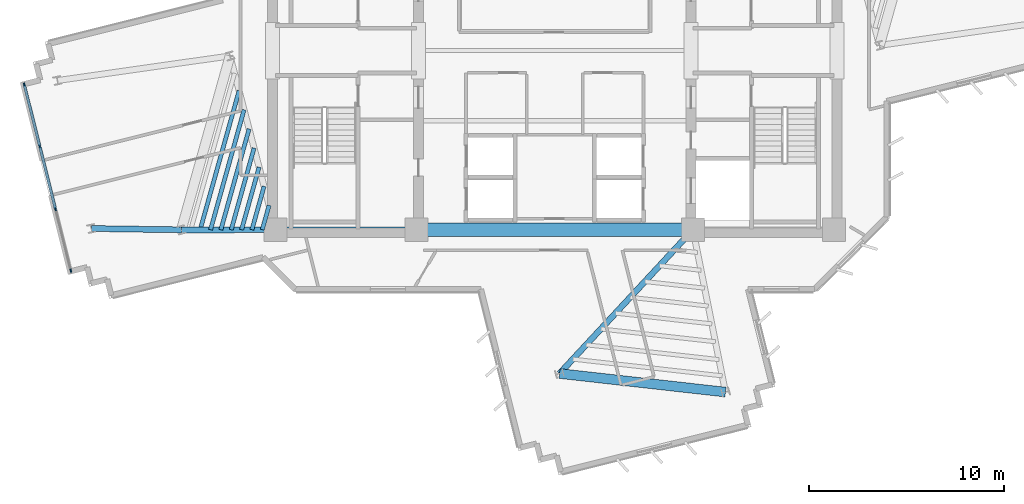
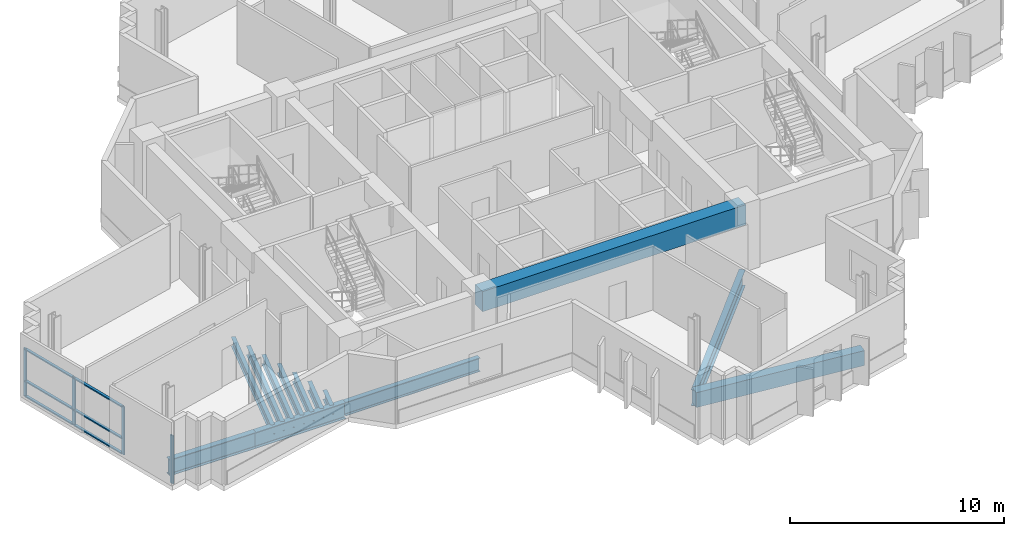
# One storey, part 2 of 13: 13 beams, 10 members, 1 element without a shape of its own.
"""IFC4 building model written with IfcOpenShell, lengths in metres."""

from ifc_helpers import new_model, si_unit, direction, frame, origin, origin_2d, place, context, subcontext, project, spatial, rectangle, i_section, extrude, source, transform, mapped, material, layer, layer_set, material_profile, profile_set, type_object, element, aggregate, save


model = new_model("IFC4")

# Units and contexts
model_context = context("Model", 3, precision=1e-05, world=origin(), true_north=direction((0.0, 1.0)))
body_context = subcontext(model_context, "Body", "Model", "MODEL_VIEW")
ifc_project = project(units=[si_unit("LENGTHUNIT", "METRE"), si_unit("AREAUNIT", "SQUARE_METRE"), si_unit("VOLUMEUNIT", "CUBIC_METRE"), si_unit("PLANEANGLEUNIT", "RADIAN"), si_unit("MASSUNIT", "GRAM", prefix="KILO")], contexts=[model_context])

# Site, building, storey
site_placement = place(None, origin())
site = spatial("IfcSite", under=ifc_project, at=site_placement, CompositionType="ELEMENT")
building_placement = place(site_placement, origin())
building = spatial("IfcBuilding", under=site, at=building_placement, Name="Zahravan Cultural Tower", CompositionType="ELEMENT")
storey_placement = place(building_placement, frame((0.0, 0.0, 182.39990234375)))
storey = spatial("IfcBuildingStorey", under=building, at=storey_placement, Name="L42", CompositionType="ELEMENT", Elevation=182.39990234375)

# Beams
ifc_material_1 = material(Name="Concrete C50/60", Category="concrete")
ifc_material_profile_1 = material_profile(ifc_material_1, rectangle(XDim=0.699951171875, YDim=1.14990234375, at=origin_2d()), Name="RC700X1150")
ifc_profile_set_1 = profile_set([ifc_material_profile_1], Name="Concrete C50/60")
beam_type_1 = type_object("IfcBeamType", Name="BM-LN-RC700X1150", PredefinedType="LINTEL", material=ifc_profile_set_1)
shared_shape_1 = source(origin(), body_context, "Body", "SweptSolid", [
    extrude(rectangle(XDim=0.699951171875, YDim=1.14990234375, at=origin_2d()), origin(), (0.0, 0.0, 1.0), 14.2001953125),
])
beam_1_placement = place(storey_placement, frame((28.89990234375, 17.800048828125, 3.045166015625), z_axis=(1.0, 0.0, 0.0), x_axis=(0.0, 1.0, 0.0)))
element("IfcBeam", 1, at=beam_1_placement, inside=storey, type_object=beam_type_1, Name="L42 Beam LN-L42-S", PredefinedType="LINTEL", context=body_context, shape_type="MappedRepresentation", body=[
    mapped(shared_shape_1, transform((0.0, 0.0, 0.0), x_axis=(1.0, 0.0, 0.0), y_axis=(0.0, 1.0, 0.0), z_axis=(0.0, 0.0, 1.0), scale=1.0)),
])
ifc_material_2 = material(Name="Steel ASTM A992 Grade 50", Category="steel")
ifc_material_profile_2 = material_profile(ifc_material_2, i_section(OverallWidth=0.26611328125, OverallDepth=0.780029296875, WebThickness=0.0166015625, FlangeThickness=0.030029296875, FilletRadius=0.01904296875, at=origin_2d()), Name="W30X148")
ifc_profile_set_2 = profile_set([ifc_material_profile_2], Name="Steel ASTM A992 Grade 50")
beam_type_2 = type_object("IfcBeamType", Name="BM-G-W30X148", PredefinedType="BEAM", material=ifc_profile_set_2)
shared_shape_2 = source(origin(), body_context, "Body", "SweptSolid", [
    extrude(i_section(OverallWidth=0.26611328125, OverallDepth=0.780029296875, WebThickness=0.0166015625, FlangeThickness=0.030029296875, FilletRadius=0.01904296875, at=origin_2d()), origin(), (0.0, 0.0, 1.0), 7.25),
])
beam_2_placement = place(storey_placement, frame((21.64990234375, 17.800048828125, -0.669921875), z_axis=(1.0, 0.0, 0.0), x_axis=(0.0, 1.0, 0.0)))
element("IfcBeam", 2, at=beam_2_placement, inside=storey, type_object=beam_type_2, Name="L42 Beam BG-L42-01", PredefinedType="BEAM", context=body_context, shape_type="MappedRepresentation", body=[
    mapped(shared_shape_2, transform((0.0, 0.0, 0.0), x_axis=(1.0, 0.0, 0.0), y_axis=(0.0, 1.0, 0.0), z_axis=(0.0, 0.0, 1.0), scale=1.0)),
])
ifc_material_profile_3 = material_profile(ifc_material_2, i_section(OverallWidth=0.304931640625, OverallDepth=0.9189453125, WebThickness=0.017333984375, FlangeThickness=0.02783203125, FilletRadius=0.02392578125, at=origin_2d()), Name="W36X170")
ifc_profile_set_3 = profile_set([ifc_material_profile_3], Name="Steel ASTM A992 Grade 50")
beam_type_3 = type_object("IfcBeamType", Name="BM-G-W36X170", PredefinedType="BEAM", material=ifc_profile_set_3)
shared_shape_3 = source(origin(), body_context, "Body", "SweptSolid", [
    extrude(i_section(OverallWidth=0.304931640625, OverallDepth=0.9189453125, WebThickness=0.017333984375, FlangeThickness=0.02783203125, FilletRadius=0.02392578125, at=origin_2d()), origin(), (0.0, 0.0, 1.0), 4.834716796875),
])
beam_3_placement = place(storey_placement, frame((21.64990234375, 17.800048828125, -0.739501953125), z_axis=(-0.99999920313, -0.001262433979, 0.0), x_axis=(0.001262433979, -0.99999920313, 0.0)))
element("IfcBeam", 3, at=beam_3_placement, inside=storey, type_object=beam_type_3, Name="L42 Beam BG-L42-08", PredefinedType="BEAM", context=body_context, shape_type="MappedRepresentation", body=[
    mapped(shared_shape_3, transform((0.0, 0.0, 0.0), x_axis=(1.0, 0.0, 0.0), y_axis=(0.0, 1.0, 0.0), z_axis=(0.0, 0.0, 1.0), scale=1.0)),
])
shared_shape_4 = source(origin(), body_context, "Body", "SweptSolid", [
    extrude(i_section(OverallWidth=0.304931640625, OverallDepth=0.9189453125, WebThickness=0.017333984375, FlangeThickness=0.02783203125, FilletRadius=0.02392578125, at=origin_2d()), origin(), (0.0, 0.0, 1.0), 10.077880859375),
])
beam_4_placement = place(storey_placement, frame((43.10009765625, 17.800048828125, -0.739501953125), z_axis=(-0.680170435587, -0.733054007938, 0.0), x_axis=(0.733054007938, -0.680170435587, 0.0)))
element("IfcBeam", 4, at=beam_4_placement, inside=storey, type_object=beam_type_3, Name="L42 Beam BG-L42-09", PredefinedType="BEAM", context=body_context, shape_type="MappedRepresentation", body=[
    mapped(shared_shape_4, transform((0.0, 0.0, 0.0), x_axis=(1.0, 0.0, 0.0), y_axis=(0.0, 1.0, 0.0), z_axis=(0.0, 0.0, 1.0), scale=1.0)),
])
shared_shape_5 = source(origin(), body_context, "Body", "SweptSolid", [
    extrude(i_section(OverallWidth=0.304931640625, OverallDepth=0.9189453125, WebThickness=0.017333984375, FlangeThickness=0.02783203125, FilletRadius=0.02392578125, at=origin_2d()), origin(), (0.0, 0.0, 1.0), 4.622314453125),
])
beam_5_placement = place(storey_placement, frame((16.815185546875, 17.7939453125, -0.739501953125), z_axis=(-0.999889070044, 0.014894549562, 0.0), x_axis=(-0.014894549562, -0.999889070044, 0.0)))
element("IfcBeam", 5, at=beam_5_placement, inside=storey, type_object=beam_type_3, Name="L42 Beam BG-L42-18", PredefinedType="BEAM", context=body_context, shape_type="MappedRepresentation", body=[
    mapped(shared_shape_5, transform((0.0, 0.0, 0.0), x_axis=(1.0, 0.0, 0.0), y_axis=(0.0, 1.0, 0.0), z_axis=(0.0, 0.0, 1.0), scale=1.0)),
])
ifc_material_profile_4 = material_profile(ifc_material_1, rectangle(XDim=0.5, YDim=0.85009765625, at=origin_2d()), Name="RC500X850")
ifc_profile_set_4 = profile_set([ifc_material_profile_4], Name="Concrete C50/60")
beam_type_4 = type_object("IfcBeamType", Name="BM-SP-RC500X850", PredefinedType="SPANDREL", material=ifc_profile_set_4)
shared_shape_6 = source(origin(), body_context, "Body", "SweptSolid", [
    extrude(rectangle(XDim=0.5, YDim=0.85009765625, at=origin_2d()), origin(), (0.0, 0.0, 1.0), 8.579833984375),
])
beam_6_placement = place(storey_placement, frame((36.245361328125, 10.412353515625, -0.704833984375), z_axis=(0.9938040105, -0.11114669907, 0.0), x_axis=(0.11114669907, 0.9938040105, 0.0)))
element("IfcBeam", 6, at=beam_6_placement, inside=storey, type_object=beam_type_4, Name="L42 Beam SP-L42-20", PredefinedType="SPANDREL", context=body_context, shape_type="MappedRepresentation", body=[
    mapped(shared_shape_6, transform((0.0, 0.0, 0.0), x_axis=(1.0, 0.0, 0.0), y_axis=(0.0, 1.0, 0.0), z_axis=(0.0, 0.0, 1.0), scale=1.0)),
])
ifc_material_profile_5 = material_profile(ifc_material_2, i_section(OverallWidth=0.2099609375, OverallDepth=0.532958984375, WebThickness=0.01025390625, FlangeThickness=0.015625, FilletRadius=0.013916015625, at=origin_2d()), Name="W21X62")
ifc_profile_set_5 = profile_set([ifc_material_profile_5], Name="Steel ASTM A992 Grade 50")
beam_type_5 = type_object("IfcBeamType", Name="BM-J-W21X62", PredefinedType="JOIST", material=ifc_profile_set_5)
shared_shape_7 = source(origin(), body_context, "Body", "SweptSolid", [
    extrude(i_section(OverallWidth=0.2099609375, OverallDepth=0.532958984375, WebThickness=0.01025390625, FlangeThickness=0.015625, FilletRadius=0.013916015625, at=origin_2d()), origin(), (0.0, 0.0, 1.0), 1.299072265625),
])
beam_7_placement = place(storey_placement, frame((21.3232421875, 19.050048828125, -0.54638671875), z_axis=(-0.269504444708, -0.962999145525, 0.0), x_axis=(0.962999145525, -0.269504444708, 0.0)))
element("IfcBeam", 7, at=beam_7_placement, inside=storey, type_object=beam_type_5, Name="L42 Beam BJ-L42-26", PredefinedType="JOIST", context=body_context, shape_type="MappedRepresentation", body=[
    mapped(shared_shape_7, transform((0.0, 0.0, 0.0), x_axis=(1.0, 0.0, 0.0), y_axis=(0.0, 1.0, 0.0), z_axis=(0.0, 0.0, 1.0), scale=1.0)),
])
shared_shape_8 = source(origin(), body_context, "Body", "SweptSolid", [
    extrude(i_section(OverallWidth=0.2099609375, OverallDepth=0.532958984375, WebThickness=0.01025390625, FlangeThickness=0.015625, FilletRadius=0.013916015625, at=origin_2d()), origin(), (0.0, 0.0, 1.0), 2.3193359375),
])
beam_8_placement = place(storey_placement, frame((21.06640625, 20.0322265625, -0.54638671875), z_axis=(-0.269462038626, -0.963011012263, 0.0), x_axis=(0.963011012263, -0.269462038626, 0.0)))
element("IfcBeam", 8, at=beam_8_placement, inside=storey, type_object=beam_type_5, Name="L42 Beam BJ-L42-27", PredefinedType="JOIST", context=body_context, shape_type="MappedRepresentation", body=[
    mapped(shared_shape_8, transform((0.0, 0.0, 0.0), x_axis=(1.0, 0.0, 0.0), y_axis=(0.0, 1.0, 0.0), z_axis=(0.0, 0.0, 1.0), scale=1.0)),
])
shared_shape_9 = source(origin(), body_context, "Body", "SweptSolid", [
    extrude(i_section(OverallWidth=0.2099609375, OverallDepth=0.532958984375, WebThickness=0.01025390625, FlangeThickness=0.015625, FilletRadius=0.013916015625, at=origin_2d()), origin(), (0.0, 0.0, 1.0), 3.340087890625),
])
beam_9_placement = place(storey_placement, frame((20.809814453125, 21.014404296875, -0.54638671875), z_axis=(-0.269562146951, -0.962982995141, 0.0), x_axis=(0.962982995141, -0.269562146951, 0.0)))
element("IfcBeam", 9, at=beam_9_placement, inside=storey, type_object=beam_type_5, Name="L42 Beam BJ-L42-28", PredefinedType="JOIST", context=body_context, shape_type="MappedRepresentation", body=[
    mapped(shared_shape_9, transform((0.0, 0.0, 0.0), x_axis=(1.0, 0.0, 0.0), y_axis=(0.0, 1.0, 0.0), z_axis=(0.0, 0.0, 1.0), scale=1.0)),
])
shared_shape_10 = source(origin(), body_context, "Body", "SweptSolid", [
    extrude(i_section(OverallWidth=0.2099609375, OverallDepth=0.532958984375, WebThickness=0.01025390625, FlangeThickness=0.015625, FilletRadius=0.013916015625, at=origin_2d()), origin(), (0.0, 0.0, 1.0), 4.36083984375),
])
beam_10_placement = place(storey_placement, frame((20.552978515625, 21.99658203125, -0.54638671875), z_axis=(-0.269511557673, -0.962997154866, 0.0), x_axis=(0.962997154866, -0.269511557673, 0.0)))
element("IfcBeam", 10, at=beam_10_placement, inside=storey, type_object=beam_type_5, Name="L42 Beam BJ-L42-29", PredefinedType="JOIST", context=body_context, shape_type="MappedRepresentation", body=[
    mapped(shared_shape_10, transform((0.0, 0.0, 0.0), x_axis=(1.0, 0.0, 0.0), y_axis=(0.0, 1.0, 0.0), z_axis=(0.0, 0.0, 1.0), scale=1.0)),
])
shared_shape_11 = source(origin(), body_context, "Body", "SweptSolid", [
    extrude(i_section(OverallWidth=0.2099609375, OverallDepth=0.532958984375, WebThickness=0.01025390625, FlangeThickness=0.015625, FilletRadius=0.013916015625, at=origin_2d()), origin(), (0.0, 0.0, 1.0), 5.3818359375),
])
beam_11_placement = place(storey_placement, frame((20.296142578125, 22.97900390625, -0.54638671875), z_axis=(-0.269510454638, -0.962997463569, 0.0), x_axis=(0.962997463569, -0.269510454638, 0.0)))
element("IfcBeam", 11, at=beam_11_placement, inside=storey, type_object=beam_type_5, Name="L42 Beam BJ-L42-30", PredefinedType="JOIST", context=body_context, shape_type="MappedRepresentation", body=[
    mapped(shared_shape_11, transform((0.0, 0.0, 0.0), x_axis=(1.0, 0.0, 0.0), y_axis=(0.0, 1.0, 0.0), z_axis=(0.0, 0.0, 1.0), scale=1.0)),
])
shared_shape_12 = source(origin(), body_context, "Body", "SweptSolid", [
    extrude(i_section(OverallWidth=0.2099609375, OverallDepth=0.532958984375, WebThickness=0.01025390625, FlangeThickness=0.015625, FilletRadius=0.013916015625, at=origin_2d()), origin(), (0.0, 0.0, 1.0), 6.402099609375),
])
beam_12_placement = place(storey_placement, frame((20.039306640625, 23.961181640625, -0.54638671875), z_axis=(-0.269494133533, -0.963002031146, 0.0), x_axis=(0.963002031146, -0.269494133533, 0.0)))
element("IfcBeam", 12, at=beam_12_placement, inside=storey, type_object=beam_type_5, Name="L42 Beam BJ-L42-31", PredefinedType="JOIST", context=body_context, shape_type="MappedRepresentation", body=[
    mapped(shared_shape_12, transform((0.0, 0.0, 0.0), x_axis=(1.0, 0.0, 0.0), y_axis=(0.0, 1.0, 0.0), z_axis=(0.0, 0.0, 1.0), scale=1.0)),
])
shared_shape_13 = source(origin(), body_context, "Body", "SweptSolid", [
    extrude(i_section(OverallWidth=0.2099609375, OverallDepth=0.532958984375, WebThickness=0.01025390625, FlangeThickness=0.015625, FilletRadius=0.013916015625, at=origin_2d()), origin(), (0.0, 0.0, 1.0), 7.4228515625),
])
beam_13_placement = place(storey_placement, frame((19.78271484375, 24.943359375, -0.54638671875), z_axis=(-0.269504266128, -0.962999195503, 0.0), x_axis=(0.962999195503, -0.269504266128, 0.0)))
element("IfcBeam", 13, at=beam_13_placement, inside=storey, type_object=beam_type_5, Name="L42 Beam BJ-L42-32", PredefinedType="JOIST", context=body_context, shape_type="MappedRepresentation", body=[
    mapped(shared_shape_13, transform((0.0, 0.0, 0.0), x_axis=(1.0, 0.0, 0.0), y_axis=(0.0, 1.0, 0.0), z_axis=(0.0, 0.0, 1.0), scale=1.0)),
])

# Curtain wall, members
ifc_material_3 = material(Name="Anodised bronze-aluminium mullion", Category="aluminium")
ifc_layer = layer(ifc_material_3, 0.179931640625)
ifc_layer_set = layer_set([ifc_layer], Name="Anodised bronze-aluminium mullion")
curtain_wall_type = type_object("IfcCurtainWallType", Name="CW-SYS-3", PredefinedType="USERDEFINED", material=ifc_layer_set)
curtain_wall_placement = place(storey_placement, origin())
curtain_wall = element("IfcCurtainWall", 14, at=curtain_wall_placement, inside=storey, type_object=curtain_wall_type, Name="L42 Recessed Curtain Wall CW-3.2", ObjectType="RECESSED GLAZING", PredefinedType="USERDEFINED")
ifc_material_profile_6 = material_profile(ifc_material_3, rectangle(XDim=0.070068359375, YDim=0.179931640625, at=origin_2d()), Name="AL-M70X180")
ifc_profile_set_6 = profile_set([ifc_material_profile_6], Name="Anodised bronze-aluminium mullion")
member_type_1 = type_object("IfcMemberType", Name="CWM-CW-3", PredefinedType="MULLION", material=ifc_profile_set_6)
shared_shape_14 = source(origin(), body_context, "Body", "SweptSolid", [
    extrude(rectangle(XDim=0.070068359375, YDim=0.179931640625, at=origin_2d()), origin(), (0.0, 0.0, 1.0), 2.739990234375),
])
member_1_placement = place(storey_placement, frame((11.14111328125, 15.697265625, 0.0), z_axis=(0.0, 0.0, 1.0), x_axis=(-0.970040421945, -0.242943573269, 0.0)))
member_1 = element("IfcMember", 15, at=member_1_placement, type_object=member_type_1, Name="CW-3 mullion 1", PredefinedType="MULLION", context=body_context, shape_type="MappedRepresentation", body=[
    mapped(shared_shape_14, transform((0.0, 0.0, 0.0), x_axis=(1.0, 0.0, 0.0), y_axis=(0.0, 1.0, 0.0), z_axis=(0.0, 0.0, 1.0), scale=1.0)),
])
member_2_placement = place(storey_placement, frame((10.346435546875, 18.870849609375, 0.0), z_axis=(0.0, 0.0, 1.0), x_axis=(-0.970040421945, -0.242943573269, 0.0)))
member_2 = element("IfcMember", 16, at=member_2_placement, type_object=member_type_1, Name="CW-3 mullion 2", PredefinedType="MULLION", context=body_context, shape_type="MappedRepresentation", body=[
    mapped(shared_shape_14, transform((0.0, 0.0, 0.0), x_axis=(1.0, 0.0, 0.0), y_axis=(0.0, 1.0, 0.0), z_axis=(0.0, 0.0, 1.0), scale=1.0)),
])
member_3_placement = place(storey_placement, frame((9.54296875, 22.07861328125, 0.0), z_axis=(0.0, 0.0, 1.0), x_axis=(-0.970040421945, -0.242943573269, 0.0)))
member_3 = element("IfcMember", 17, at=member_3_placement, type_object=member_type_1, Name="CW-3 mullion 3", PredefinedType="MULLION", context=body_context, shape_type="MappedRepresentation", body=[
    mapped(shared_shape_14, transform((0.0, 0.0, 0.0), x_axis=(1.0, 0.0, 0.0), y_axis=(0.0, 1.0, 0.0), z_axis=(0.0, 0.0, 1.0), scale=1.0)),
])
member_4_placement = place(storey_placement, frame((8.748291015625, 25.252197265625, 0.0), z_axis=(0.0, 0.0, 1.0), x_axis=(-0.970040421945, -0.242943573269, 0.0)))
member_4 = element("IfcMember", 18, at=member_4_placement, type_object=member_type_1, Name="CW-3 mullion 4", PredefinedType="MULLION", context=body_context, shape_type="MappedRepresentation", body=[
    mapped(shared_shape_14, transform((0.0, 0.0, 0.0), x_axis=(1.0, 0.0, 0.0), y_axis=(0.0, 1.0, 0.0), z_axis=(0.0, 0.0, 1.0), scale=1.0)),
])
ifc_material_profile_7 = material_profile(ifc_material_3, rectangle(XDim=0.139892578125, YDim=0.070068359375, at=origin_2d()), Name="AL-T70X140")
ifc_profile_set_7 = profile_set([ifc_material_profile_7], Name="Anodised bronze-aluminium mullion")
member_type_2 = type_object("IfcMemberType", Name="CWT-CW-3", PredefinedType="USERDEFINED", material=ifc_profile_set_7)
shared_shape_15 = source(origin(), body_context, "Body", "SweptSolid", [
    extrude(rectangle(XDim=0.139892578125, YDim=0.070068359375, at=origin_2d()), origin(), (0.0, 0.0, 1.0), 3.20166015625),
])
member_5_placement = place(storey_placement, frame((9.534423828125, 22.112548828125, 0.03515625), z_axis=(-0.242948276951, 0.97003924391, 0.0), x_axis=(-0.97003924391, -0.242948276951, 0.0)))
member_5 = element("IfcMember", 19, at=member_5_placement, type_object=member_type_2, Name="CW-3 transom 3.1", ObjectType="TRANSOM", PredefinedType="USERDEFINED", context=body_context, shape_type="MappedRepresentation", body=[
    mapped(shared_shape_15, transform((0.0, 0.0, 0.0), x_axis=(1.0, 0.0, 0.0), y_axis=(0.0, 1.0, 0.0), z_axis=(0.0, 0.0, 1.0), scale=1.0)),
])
member_6_placement = place(storey_placement, frame((9.534423828125, 22.112548828125, 0.900146484375), z_axis=(-0.242948276951, 0.97003924391, 0.0), x_axis=(-0.97003924391, -0.242948276951, 0.0)))
member_6 = element("IfcMember", 20, at=member_6_placement, type_object=member_type_2, Name="CW-3 transom 3.2", ObjectType="TRANSOM", PredefinedType="USERDEFINED", context=body_context, shape_type="MappedRepresentation", body=[
    mapped(shared_shape_15, transform((0.0, 0.0, 0.0), x_axis=(1.0, 0.0, 0.0), y_axis=(0.0, 1.0, 0.0), z_axis=(0.0, 0.0, 1.0), scale=1.0)),
])
member_7_placement = place(storey_placement, frame((9.534423828125, 22.112548828125, 2.705078125), z_axis=(-0.242948276951, 0.97003924391, 0.0), x_axis=(-0.97003924391, -0.242948276951, 0.0)))
member_7 = element("IfcMember", 21, at=member_7_placement, type_object=member_type_2, Name="CW-3 transom 3.3", ObjectType="TRANSOM", PredefinedType="USERDEFINED", context=body_context, shape_type="MappedRepresentation", body=[
    mapped(shared_shape_15, transform((0.0, 0.0, 0.0), x_axis=(1.0, 0.0, 0.0), y_axis=(0.0, 1.0, 0.0), z_axis=(0.0, 0.0, 1.0), scale=1.0)),
])
shared_shape_16 = source(origin(), body_context, "Body", "SweptSolid", [
    extrude(rectangle(XDim=0.139892578125, YDim=0.070068359375, at=origin_2d()), origin(), (0.0, 0.0, 1.0), 3.236572265625),
])
member_8_placement = place(storey_placement, frame((10.337890625, 18.90478515625, 0.03515625), z_axis=(-0.242961561991, 0.970035916549, 0.0), x_axis=(-0.970035916549, -0.242961561991, 0.0)))
member_8 = element("IfcMember", 22, at=member_8_placement, type_object=member_type_2, Name="CW-3 transom 2.1", ObjectType="TRANSOM", PredefinedType="USERDEFINED", context=body_context, shape_type="MappedRepresentation", body=[
    mapped(shared_shape_16, transform((0.0, 0.0, 0.0), x_axis=(1.0, 0.0, 0.0), y_axis=(0.0, 1.0, 0.0), z_axis=(0.0, 0.0, 1.0), scale=1.0)),
])
member_9_placement = place(storey_placement, frame((10.337890625, 18.90478515625, 0.900146484375), z_axis=(-0.242961561991, 0.970035916549, 0.0), x_axis=(-0.970035916549, -0.242961561991, 0.0)))
member_9 = element("IfcMember", 23, at=member_9_placement, type_object=member_type_2, Name="CW-3 transom 2.2", ObjectType="TRANSOM", PredefinedType="USERDEFINED", context=body_context, shape_type="MappedRepresentation", body=[
    mapped(shared_shape_16, transform((0.0, 0.0, 0.0), x_axis=(1.0, 0.0, 0.0), y_axis=(0.0, 1.0, 0.0), z_axis=(0.0, 0.0, 1.0), scale=1.0)),
])
member_10_placement = place(storey_placement, frame((10.337890625, 18.90478515625, 2.705078125), z_axis=(-0.242961561991, 0.970035916549, 0.0), x_axis=(-0.970035916549, -0.242961561991, 0.0)))
member_10 = element("IfcMember", 24, at=member_10_placement, type_object=member_type_2, Name="CW-3 transom 2.3", ObjectType="TRANSOM", PredefinedType="USERDEFINED", context=body_context, shape_type="MappedRepresentation", body=[
    mapped(shared_shape_16, transform((0.0, 0.0, 0.0), x_axis=(1.0, 0.0, 0.0), y_axis=(0.0, 1.0, 0.0), z_axis=(0.0, 0.0, 1.0), scale=1.0)),
])
aggregate(curtain_wall, [member_1, member_2, member_3, member_4, member_8, member_9, member_10, member_5, member_6, member_7])

save(model, "model.ifc")
